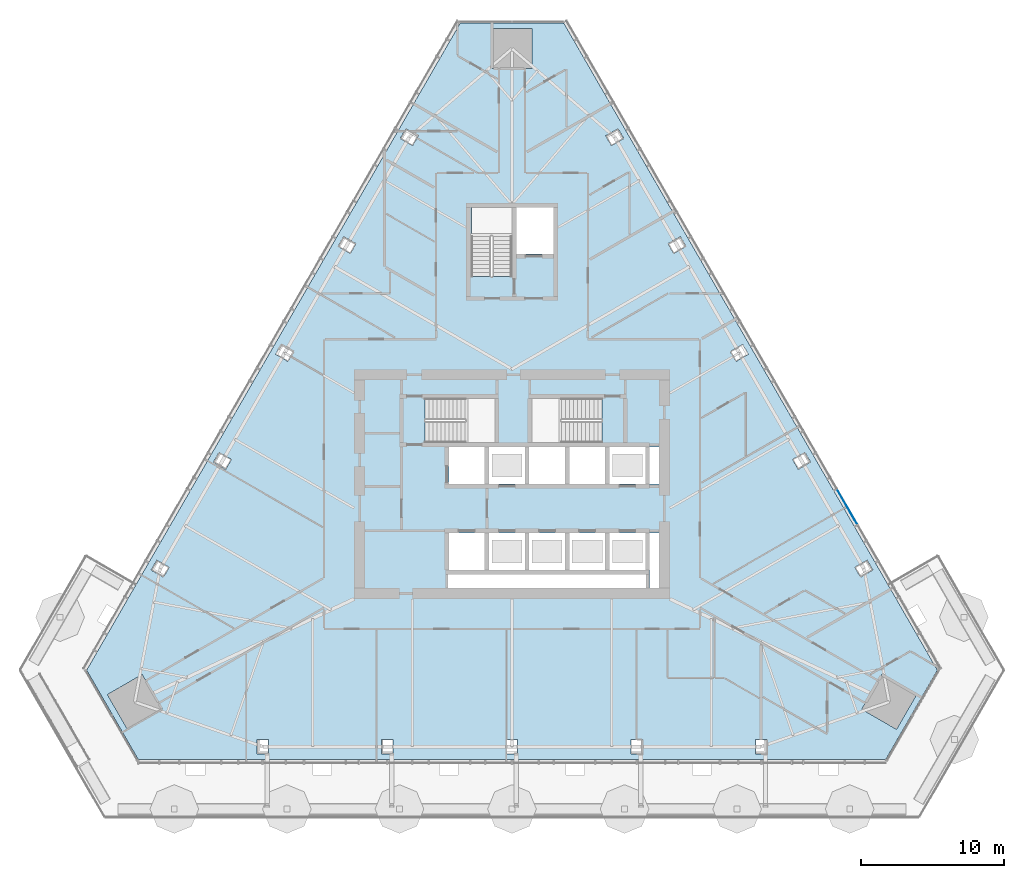
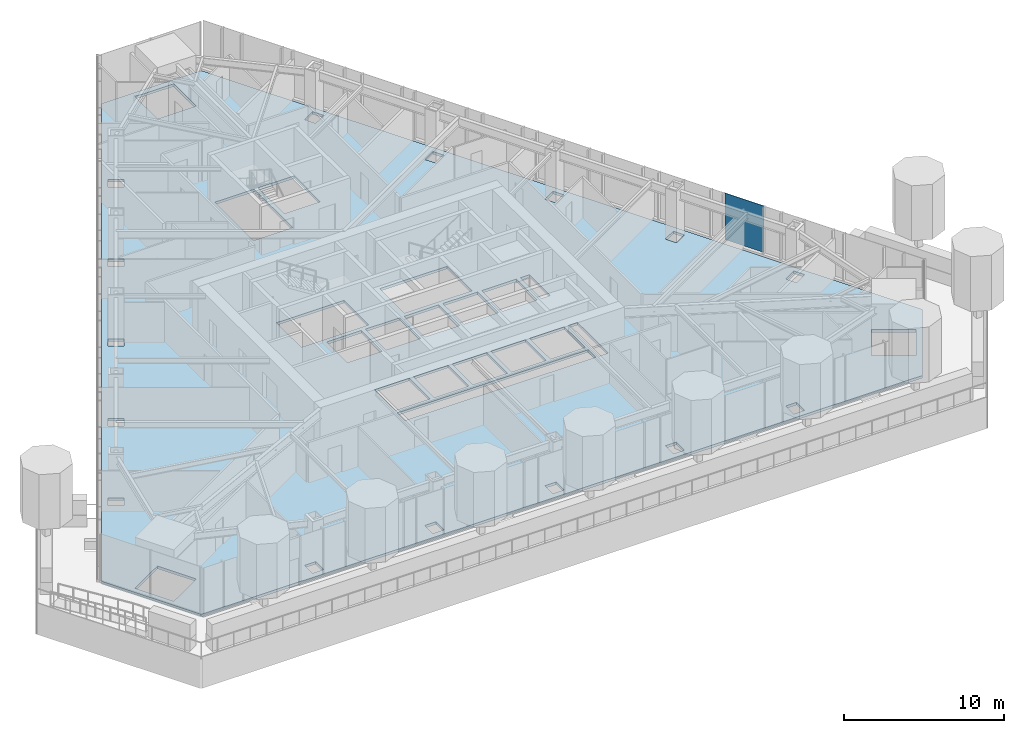
# One storey, part 12 of 24: 1 plate, 1 slab, 1 element without a shape of its own.
"""IFC4 building model written with IfcOpenShell, lengths in metres."""

from ifc_helpers import new_model, si_unit, direction, frame, origin, place, context, subcontext, project, spatial, polyline, outline, extrude, material, layer, layer_set, type_object, element, aggregate, save


model = new_model("IFC4")

# Units and contexts
model_context = context("Model", 3, precision=1e-05, world=origin(), true_north=direction((0.0, 1.0)))
body_context = subcontext(model_context, "Body", "Model", "MODEL_VIEW")
ifc_project = project(units=[si_unit("LENGTHUNIT", "METRE"), si_unit("AREAUNIT", "SQUARE_METRE"), si_unit("VOLUMEUNIT", "CUBIC_METRE"), si_unit("PLANEANGLEUNIT", "RADIAN"), si_unit("MASSUNIT", "GRAM", prefix="KILO")], contexts=[model_context])

# Site, building, storey
site_placement = place(None, origin())
site = spatial("IfcSite", under=ifc_project, at=site_placement, CompositionType="ELEMENT")
building_placement = place(site_placement, origin())
building = spatial("IfcBuilding", under=site, at=building_placement, Name="Firuza Gate Tower and Library", CompositionType="ELEMENT")
storey_placement = place(building_placement, frame((0.0, 0.0, 194.800048828125)))
storey = spatial("IfcBuildingStorey", under=building, at=storey_placement, Name="L45", CompositionType="ELEMENT", Elevation=194.800048828125)

# Slab
ifc_material_1 = material(Name="Concrete C40/50", Category="concrete")
ifc_layer_1 = layer(ifc_material_1, 0.199951171875)
ifc_layer_set_1 = layer_set([ifc_layer_1], Name="Composite floor slab 200 C40/50")
slab_type = type_object("IfcSlabType", Name="Composite floor slab 200 C40/50", PredefinedType="FLOOR", material=ifc_layer_set_1)
slab_placement = place(storey_placement, frame((0.0, 0.0, -0.199951171875)))
element("IfcSlab", 1, at=slab_placement, inside=storey, type_object=slab_type, Name="Floor slab L45", PredefinedType="FLOOR", context=body_context, shape_type="SweptSolid", body=[
    extrude(outline(polyline([(45.342529296875, 62.0341796875), (48.942626953125, 55.798828125), (101.057373046875, 55.798828125), (104.657470703125, 62.0341796875), (78.60009765625, 107.1669921875), (71.39990234375, 107.1669921875), (45.342529296875, 62.0341796875)]), holes=[polyline([(57.228515625, 56.198974609375), (57.228515625, 57.198974609375), (58.0283203125, 57.198974609375), (58.0283203125, 56.198974609375), (57.228515625, 56.198974609375)]), polyline([(74.60009765625, 56.198974609375), (74.60009765625, 57.198974609375), (75.39990234375, 57.198974609375), (75.39990234375, 56.198974609375), (74.60009765625, 56.198974609375)]), polyline([(65.914306640625, 56.198974609375), (65.914306640625, 57.198974609375), (66.714111328125, 57.198974609375), (66.714111328125, 56.198974609375), (65.914306640625, 56.198974609375)]), polyline([(46.7890625, 60.3291015625), (49.2138671875, 61.72900390625), (50.614013671875, 59.30419921875), (48.18896484375, 57.904052734375), (46.7890625, 60.3291015625)]), polyline([(84.35009765625, 67.75), (70.550048828125, 67.75), (70.550048828125, 68.699951171875), (84.35009765625, 68.699951171875), (84.35009765625, 67.75)]), polyline([(50.23193359375, 69.702880859375), (51.097900390625, 69.202880859375), (50.697998046875, 68.510009765625), (49.83203125, 69.010009765625), (50.23193359375, 69.702880859375)]), polyline([(73.10009765625, 69.0), (70.60009765625, 69.0), (70.60009765625, 71.60009765625), (73.10009765625, 71.60009765625), (73.10009765625, 69.0)]), polyline([(75.89990234375, 69.0), (73.39990234375, 69.0), (73.39990234375, 71.60009765625), (75.89990234375, 71.60009765625), (75.89990234375, 69.0)]), polyline([(73.10009765625, 75.0), (70.60009765625, 75.0), (70.60009765625, 77.60009765625), (73.10009765625, 77.60009765625), (73.10009765625, 75.0)]), polyline([(75.89990234375, 75.0), (73.39990234375, 75.0), (73.39990234375, 77.60009765625), (75.89990234375, 77.60009765625), (75.89990234375, 75.0)]), polyline([(54.574951171875, 77.224853515625), (55.44091796875, 76.724853515625), (55.040771484375, 76.031982421875), (54.1748046875, 76.531982421875), (54.574951171875, 77.224853515625)]), polyline([(73.81005859375, 77.89990234375), (68.9404296875, 77.89990234375), (68.9404296875, 80.97998046875), (73.81005859375, 80.97998046875), (73.81005859375, 77.89990234375)]), polyline([(58.917724609375, 84.7470703125), (59.78369140625, 84.2470703125), (59.3837890625, 83.55419921875), (58.517822265625, 84.05419921875), (58.917724609375, 84.7470703125)]), polyline([(63.2607421875, 92.26904296875), (64.126708984375, 91.76904296875), (63.7265625, 91.076171875), (62.860595703125, 91.576171875), (63.2607421875, 92.26904296875)]), polyline([(72.159912109375, 89.470458984375), (72.159912109375, 94.300048828125), (75.0, 94.300048828125), (75.0, 89.470458984375), (72.159912109375, 89.470458984375)]), polyline([(75.300048828125, 91.050048828125), (75.300048828125, 94.300048828125), (77.89990234375, 94.300048828125), (77.89990234375, 91.050048828125), (75.300048828125, 91.050048828125)]), polyline([(68.469482421875, 99.291259765625), (68.069580078125, 98.598388671875), (67.20361328125, 99.098388671875), (67.603515625, 99.791259765625), (68.469482421875, 99.291259765625)]), polyline([(76.39990234375, 106.766845703125), (76.39990234375, 103.966796875), (73.60009765625, 103.966796875), (73.60009765625, 106.766845703125), (76.39990234375, 106.766845703125)]), polyline([(91.9716796875, 56.198974609375), (91.9716796875, 57.198974609375), (92.771484375, 57.198974609375), (92.771484375, 56.198974609375), (91.9716796875, 56.198974609375)]), polyline([(83.285888671875, 56.198974609375), (83.285888671875, 57.198974609375), (84.085693359375, 57.198974609375), (84.085693359375, 56.198974609375), (83.285888671875, 56.198974609375)]), polyline([(101.81103515625, 57.904052734375), (99.385986328125, 59.30419921875), (100.7861328125, 61.72900390625), (103.2109375, 60.3291015625), (101.81103515625, 57.904052734375)]), polyline([(100.16796875, 69.010009765625), (99.302001953125, 68.510009765625), (98.902099609375, 69.202880859375), (99.76806640625, 69.702880859375), (100.16796875, 69.010009765625)]), polyline([(85.25, 67.75), (84.60009765625, 67.75), (84.60009765625, 71.60009765625), (85.25, 71.60009765625), (85.25, 67.75)]), polyline([(81.5, 69.0), (79.0, 69.0), (79.0, 71.60009765625), (81.5, 71.60009765625), (81.5, 69.0)]), polyline([(81.800048828125, 69.0), (81.800048828125, 71.60009765625), (84.300048828125, 71.60009765625), (84.300048828125, 69.0), (81.800048828125, 69.0)]), polyline([(76.199951171875, 69.0), (76.199951171875, 71.60009765625), (78.699951171875, 71.60009765625), (78.699951171875, 69.0), (76.199951171875, 69.0)]), polyline([(81.5, 75.0), (79.0, 75.0), (79.0, 77.60009765625), (81.5, 77.60009765625), (81.5, 75.0)]), polyline([(84.300048828125, 75.0), (81.800048828125, 75.0), (81.800048828125, 77.60009765625), (84.300048828125, 77.60009765625), (84.300048828125, 75.0)]), polyline([(85.25, 75.0), (84.60009765625, 75.0), (84.60009765625, 77.60009765625), (85.25, 77.60009765625), (85.25, 75.0)]), polyline([(78.699951171875, 75.0), (76.199951171875, 75.0), (76.199951171875, 77.60009765625), (78.699951171875, 77.60009765625), (78.699951171875, 75.0)]), polyline([(95.8251953125, 76.531982421875), (94.959228515625, 76.031982421875), (94.55908203125, 76.724853515625), (95.425048828125, 77.224853515625), (95.8251953125, 76.531982421875)]), polyline([(81.259521484375, 77.89990234375), (76.389892578125, 77.89990234375), (76.389892578125, 80.97998046875), (81.259521484375, 80.97998046875), (81.259521484375, 77.89990234375)]), polyline([(91.482177734375, 84.05419921875), (90.6162109375, 83.55419921875), (90.21630859375, 84.2470703125), (91.082275390625, 84.7470703125), (91.482177734375, 84.05419921875)]), polyline([(86.2734375, 91.076171875), (85.873291015625, 91.76904296875), (86.7392578125, 92.26904296875), (87.139404296875, 91.576171875), (86.2734375, 91.076171875)]), polyline([(81.930419921875, 98.598388671875), (81.530517578125, 99.291259765625), (82.396484375, 99.791259765625), (82.79638671875, 99.098388671875), (81.930419921875, 98.598388671875)])]), origin(), (0.0, 0.0, 1.0), 0.199951171875),
])

# Curtain wall, plate
ifc_material_2 = material(Name="Aluminium 6063-T6", Category="aluminium")
ifc_layer_2 = layer(ifc_material_2, 0.14990234375)
ifc_layer_set_2 = layer_set([ifc_layer_2], Name="Unitised curtain wall, hotel")
curtain_wall_type = type_object("IfcCurtainWallType", Name="Unitised curtain wall, hotel", PredefinedType="NOTDEFINED", material=ifc_layer_set_2)
curtain_wall_placement = place(storey_placement, origin())
curtain_wall = element("IfcCurtainWall", 2, at=curtain_wall_placement, inside=storey, type_object=curtain_wall_type, Name="CW2 L45 E face", PredefinedType="NOTDEFINED")
ifc_material_3 = material(Name="Glazed ceramic tile")
ifc_layer_3 = layer(ifc_material_3, 0.030029296875)
ifc_layer_set_3 = layer_set([ifc_layer_3], Name="Opaque ceramic panel, hotel")
plate_type = type_object("IfcPlateType", Name="Opaque ceramic panel, hotel", PredefinedType="CURTAIN_PANEL", material=ifc_layer_set_3)
plate_placement = place(storey_placement, frame((99.083984375, 72.20751953125, 0.14990234375), z_axis=(0.866055844559, 0.499947271324, 0.0), x_axis=(-0.499947271324, 0.866055844559, 0.0)))
plate = element("IfcPlate", 3, at=plate_placement, type_object=plate_type, Name="Opaque ceramic panel", PredefinedType="CURTAIN_PANEL", context=body_context, shape_type="SweptSolid", body=[
    extrude(outline(polyline([(0.0, 0.0), (2.820121621306016, 0.0), (2.820121621306016, 3.550048828125), (0.0, 3.550048828125), (0.0, 0.0)])), origin(), (0.0, 0.0, -1.0), 0.030029296875),
])
aggregate(curtain_wall, [plate])

save(model, "model.ifc")
